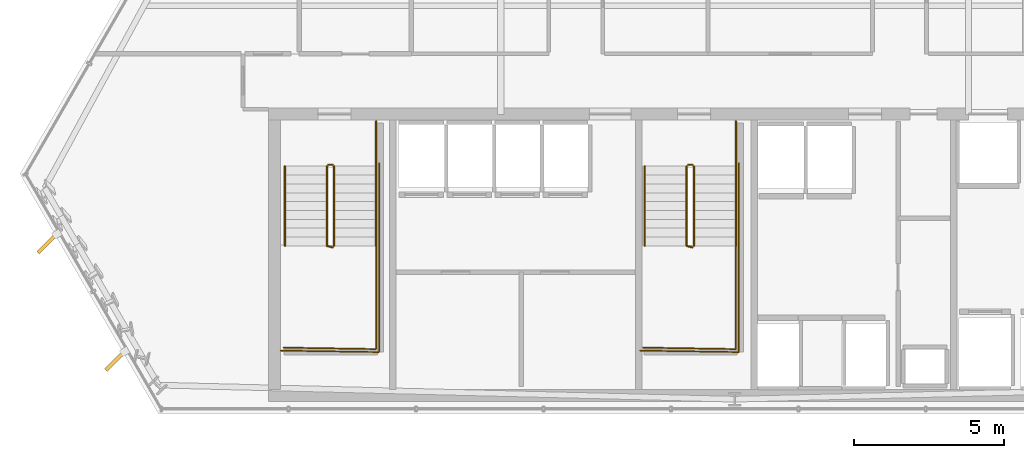
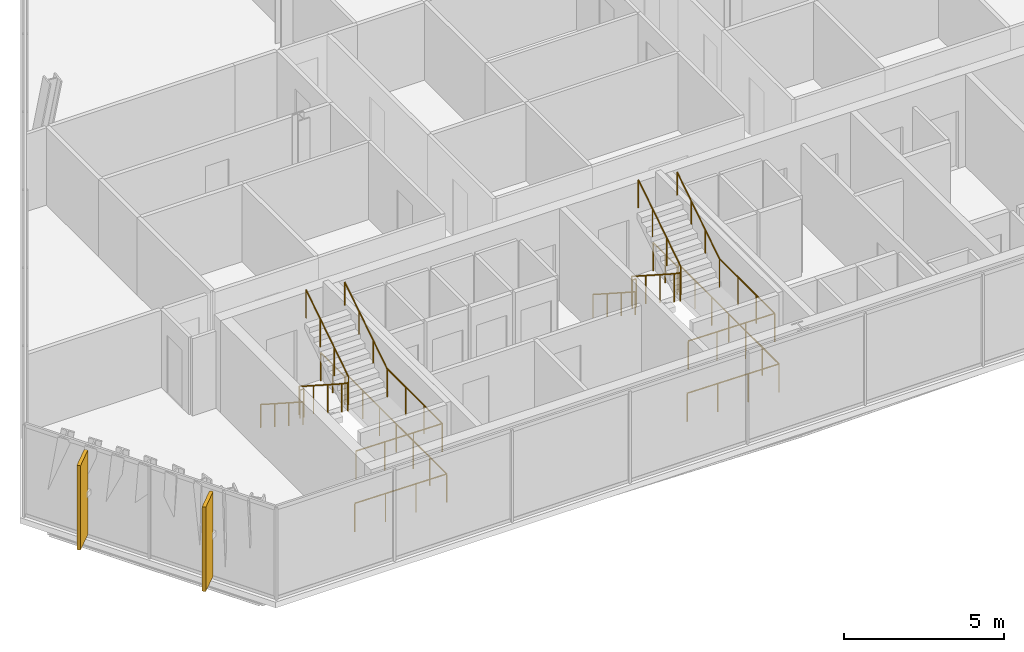
# One storey, part 31 of 34: 16 railings, 2 shading devices.
"""IFC4 building model written with IfcOpenShell, lengths in metres."""

import ifcopenshell
import ifcopenshell.guid

model = None  # the IFC model being written
_history = None  # IfcOwnerHistory: only IFC2X3 demands one
_inside = {}  # id of a spatial element -> (the spatial element, [elements in it])
_under = {}  # id of a project, library or spatial element -> (it, [spatial elements below it])
_declared = {}  # id of a project -> (the project, [libraries it declares])
_typed = {}  # id of a type object -> (the type object, [elements of that type])
_made_of = {}  # id of a material, layer set ... -> (it, [elements and type objects made of it])


def new_model(schema):
    """Start an empty IFC model of exactly this schema.

    Asked for "IFC4X3", IfcOpenShell would pick the latest addendum, in which some entities
    have other attributes; the version numbers below select the first issue.
    IFC2X3 requires an IfcOwnerHistory on every rooted entity: one is made here for all.
    """
    global model, _history
    if schema == "IFC4X3":
        model = ifcopenshell.file(schema_version=(4, 3, 0, 0))
    else:
        model = ifcopenshell.file(schema=schema)
    _inside.clear()
    _under.clear()
    _declared.clear()
    _typed.clear()
    _made_of.clear()
    _history = None
    if model.schema == "IFC2X3":
        org = make("IfcOrganization", Name="unknown")
        user = make(
            "IfcPersonAndOrganization",
            ThePerson=make("IfcPerson", FamilyName="unknown"),
            TheOrganization=org,
        )
        app = make(
            "IfcApplication",
            ApplicationDeveloper=org,
            Version="unknown",
            ApplicationFullName="unknown",
            ApplicationIdentifier="unknown",
        )
        _history = make(
            "IfcOwnerHistory",
            OwningUser=user,
            OwningApplication=app,
            ChangeAction="ADDED",
            CreationDate=0,
        )
    return model


def make(cls, **values):
    """One entity of the class cls with the attributes given. An attribute that is None is left unset."""
    return model.create_entity(
        cls, **{name: value for name, value in values.items() if value is not None}
    )


def rooted(cls, **values):
    """An entity with a GlobalId (a new one), such as an element, a storey or a relation."""
    return make(cls, GlobalId=ifcopenshell.guid.new(), OwnerHistory=_history, **values)


def si_unit(unit_type, name, prefix=None):
    """IfcSIUnit, for example si_unit("LENGTHUNIT", "METRE", prefix="MILLI")."""
    return make("IfcSIUnit", UnitType=unit_type, Prefix=prefix, Name=name)


def assignment(units):
    """IfcUnitAssignment: the units of a project."""
    return None if units is None else make("IfcUnitAssignment", Units=units)


def point(xyz):
    """IfcCartesianPoint."""
    return None if xyz is None else make("IfcCartesianPoint", Coordinates=xyz)


def direction(xyz):
    """IfcDirection."""
    return None if xyz is None else make("IfcDirection", DirectionRatios=xyz)


def frame(location, z_axis=None, x_axis=None):
    """IfcAxis2Placement3D, a coordinate frame: its origin and axes. An axis left out is left unset."""
    return make(
        "IfcAxis2Placement3D",
        Location=point(location),
        Axis=direction(z_axis),
        RefDirection=direction(x_axis),
    )


def frame_2d(location, x_axis=None):
    """IfcAxis2Placement2D, a coordinate frame in the plane: its origin and x axis."""
    return make(
        "IfcAxis2Placement2D", Location=point(location), RefDirection=direction(x_axis)
    )


def origin():
    """The frame at (0, 0, 0) with its axes left unset."""
    return frame((0.0, 0.0, 0.0))


def origin_2d():
    """The frame at (0, 0) in the plane with its x axis left unset."""
    return frame_2d((0.0, 0.0))


def place(relative_to, where):
    """IfcLocalPlacement: puts the frame where relative to a parent placement (None: the world)."""
    return make(
        "IfcLocalPlacement", PlacementRelTo=relative_to, RelativePlacement=where
    )


def context(
    kind, dimensions, precision=None, world=None, true_north=None, identifier=None
):
    """IfcGeometricRepresentationContext, for example the 3D "Model" context."""
    return make(
        "IfcGeometricRepresentationContext",
        ContextIdentifier=identifier,
        ContextType=kind,
        CoordinateSpaceDimension=dimensions,
        Precision=precision,
        WorldCoordinateSystem=world,
        TrueNorth=true_north,
    )


def subcontext(parent, identifier, kind, view, scale=None):
    """IfcGeometricRepresentationSubContext, for example "Body" below "Model"."""
    return make(
        "IfcGeometricRepresentationSubContext",
        ContextIdentifier=identifier,
        ContextType=kind,
        ParentContext=parent,
        TargetScale=scale,
        TargetView=view,
    )


def project(units=None, contexts=None):
    """IfcProject with its units and contexts."""
    return rooted(
        "IfcProject",
        Name="project",
        RepresentationContexts=contexts,
        UnitsInContext=assignment(units),
    )


def spatial(cls, under=None, at=None, **own):
    """A site, building, storey or space (cls), placed at a placement, below another one or the project."""
    s = rooted(cls, ObjectPlacement=at, **own)
    if under is not None:
        _under.setdefault(under.id(), (under, []))[1].append(s)
    return s


def profile(cls, at=None, kind="AREA", **sizes):
    """A parametric profile (cls). Its sizes go by their IFC names, for example OverallWidth=200.0."""
    return make(cls, ProfileType=kind, Position=at, **sizes)


def rectangle(**sizes):
    """IfcRectangleProfileDef."""
    return profile("IfcRectangleProfileDef", **sizes)


def circle(**sizes):
    """IfcCircleProfileDef."""
    return profile("IfcCircleProfileDef", **sizes)


def extrude(swept, where, along, depth):
    """IfcExtrudedAreaSolid: the profile swept, set in the frame where, extruded along a direction by depth."""
    return make(
        "IfcExtrudedAreaSolid",
        SweptArea=swept,
        Position=where,
        ExtrudedDirection=direction(along),
        Depth=depth,
    )


def shape(context_of_items, identifier, shape_type, items):
    """IfcShapeRepresentation: the items that make up one representation, for example the "Body"."""
    return make(
        "IfcShapeRepresentation",
        ContextOfItems=context_of_items,
        RepresentationIdentifier=identifier,
        RepresentationType=shape_type,
        Items=items,
    )


def material(Name=None, Category=None):
    """IfcMaterial."""
    return make("IfcMaterial", Name=Name, Category=Category)


def layer(
    of_material, thickness, ventilated=None, Name=None, Category=None, Priority=None
):
    """IfcMaterialLayer: one layer of a wall or slab, of a material (None: an air gap)."""
    return make(
        "IfcMaterialLayer",
        Material=of_material,
        LayerThickness=thickness,
        IsVentilated=ventilated,
        Name=Name,
        Category=Category,
        Priority=Priority,
    )


def layer_set(layers, Name=None):
    """IfcMaterialLayerSet."""
    return make("IfcMaterialLayerSet", MaterialLayers=layers, LayerSetName=Name)


def made_of(thing, what):
    """Note that an element or type object is made of a material, layer set ...; save() writes the relation."""
    if what is not None:
        _made_of.setdefault(what.id(), (what, []))[1].append(thing)
    return thing


def type_object(cls, material=None, **own):
    """A type object (cls), such as IfcWallType, which elements share."""
    return made_of(rooted(cls, **own), material)


def element(
    cls,
    number,
    at=None,
    inside=None,
    cuts=None,
    type_object=None,
    material=None,
    context=None,
    identifier="Body",
    shape_type=None,
    held_by="IfcProductDefinitionShape",
    body=None,
    shapes=None,
    **own,
):
    """One element of the class cls, such as IfcWall. Its Tag is "e" and its number.

    at: its placement. inside: the storey or other place that contains it. cuts: it is an
    opening in that element (IfcRelVoidsElement). A single representation is given by context,
    identifier, shape_type and body (its items); several are given by shapes. held_by: the class
    of the entity that holds the representations. save() writes the other relations.
    """
    e = rooted(cls, Tag="e%d" % number, ObjectPlacement=at, **own)
    if body is not None:
        shapes = [shape(context, identifier, shape_type, body)]
    if shapes is not None:
        e.Representation = make(held_by, Representations=shapes)
    if inside is not None:
        _inside.setdefault(inside.id(), (inside, []))[1].append(e)
    if cuts is not None:
        rooted(
            "IfcRelVoidsElement", RelatingBuildingElement=cuts, RelatedOpeningElement=e
        )
    if type_object is not None:
        _typed.setdefault(type_object.id(), (type_object, []))[1].append(e)
    return made_of(e, material)


def aggregate(whole, parts):
    """IfcRelAggregates: a whole, such as a stair, and the parts it consists of."""
    return rooted("IfcRelAggregates", RelatingObject=whole, RelatedObjects=parts)


def save(model, path):
    """Write the relations noted so far, then the file.

    IfcRelAggregates (storeys below a building ...), IfcRelContainedInSpatialStructure (elements
    in a storey), IfcRelDefinesByType, IfcRelAssociatesMaterial and IfcRelDeclares: one each for
    every whole, place, type object, material and project.
    """
    for whole, parts in _under.values():
        aggregate(whole, parts)
    for where, things in _inside.values():
        rooted(
            "IfcRelContainedInSpatialStructure",
            RelatedElements=things,
            RelatingStructure=where,
        )
    for kind, things in _typed.values():
        rooted("IfcRelDefinesByType", RelatedObjects=things, RelatingType=kind)
    for what, things in _made_of.values():
        rooted("IfcRelAssociatesMaterial", RelatedObjects=things, RelatingMaterial=what)
    for by, libraries in _declared.values():
        rooted("IfcRelDeclares", RelatingContext=by, RelatedDefinitions=libraries)
    model.write(path)


model = new_model("IFC4")

# Units and contexts
model_context = context("Model", 3, precision=1e-05, world=origin(), true_north=direction((0.0, 1.0)))
body_context = subcontext(model_context, "Body", "Model", "MODEL_VIEW")
ifc_project = project(units=[si_unit("LENGTHUNIT", "METRE"), si_unit("AREAUNIT", "SQUARE_METRE"), si_unit("VOLUMEUNIT", "CUBIC_METRE"), si_unit("PLANEANGLEUNIT", "RADIAN"), si_unit("MASSUNIT", "GRAM", prefix="KILO")], contexts=[model_context])

# Site, building, storey
site_placement = place(None, origin())
site = spatial("IfcSite", under=ifc_project, at=site_placement, CompositionType="ELEMENT")
building_placement = place(site_placement, origin())
building = spatial("IfcBuilding", under=site, at=building_placement, Name="Ndaravel Arena Tower", CompositionType="ELEMENT")
storey_placement = place(building_placement, frame((0.0, 0.0, 199.199951171875)))
storey = spatial("IfcBuildingStorey", under=building, at=storey_placement, Name="L48", CompositionType="ELEMENT", Elevation=199.199951171875)

# Railings
ifc_material_1 = material(Name="Steel S355", Category="steel")
ifc_layer_1 = layer(ifc_material_1, 0.06005859375)
ifc_layer_set_1 = layer_set([ifc_layer_1], Name="Steel S355")
railing_type_1 = type_object("IfcRailingType", Name="RAIL-STAIR-GD1100", PredefinedType="GUARDRAIL", material=ifc_layer_set_1)
railing_1_placement = place(storey_placement, frame((28.39990234375, 13.25, 0.18994140625)))
element("IfcRailing", 1, at=railing_1_placement, inside=storey, type_object=railing_type_1, Name="L48 ST-1 stair guard 1", PredefinedType="GUARDRAIL", context=body_context, shape_type="SweptSolid", body=[
    extrude(circle(Radius=0.02392578125, at=origin_2d()), frame((0.0, 0.0, 1.076171875), z_axis=(0.0, -0.840688348013, 0.541519253134), x_axis=(1.0, 0.0, 0.0)), (0.0, 0.0, 1.0), 3.158203125),
    extrude(circle(Radius=0.02392578125, at=origin_2d()), frame((0.0, -2.655029296875, 2.7861328125), z_axis=(0.967074537263, -0.25449329928, 0.0), x_axis=(0.25449329928, 0.967074537263, 0.0)), (0.0, 0.0, 1.0), 0.19677734375),
    extrude(circle(Radius=0.02099609375, at=origin_2d()), origin(), (0.0, 0.0, 1.0), 1.052001953125),
    extrude(circle(Radius=0.02099609375, at=origin_2d()), frame((0.0, -0.885009765625, 0.570068359375)), (0.0, 0.0, 1.0), 1.052001953125),
    extrude(circle(Radius=0.02099609375, at=origin_2d()), frame((0.0, -1.77001953125, 1.14013671875)), (0.0, 0.0, 1.0), 1.052001953125),
    extrude(circle(Radius=0.02099609375, at=origin_2d()), frame((0.0, -2.655029296875, 1.710205078125)), (0.0, 0.0, 1.0), 1.052001953125),
    extrude(circle(Radius=0.02099609375, at=origin_2d()), frame((0.190185546875, -2.705078125, 1.710205078125)), (0.0, 0.0, 1.0), 1.052001953125),
])
railing_2_placement = place(storey_placement, frame((30.0400390625, 10.594970703125, 1.900146484375)))
element("IfcRailing", 2, at=railing_2_placement, inside=storey, type_object=railing_type_1, Name="L48 ST-1 stair guard 2", PredefinedType="GUARDRAIL", context=body_context, shape_type="SweptSolid", body=[
    extrude(circle(Radius=0.02392578125, at=origin_2d()), frame((0.0, 0.0, 1.076171875), z_axis=(0.0, -1.0, 0.0), x_axis=(1.0, 0.0, 0.0)), (0.0, 0.0, 1.0), 3.445068359375),
    extrude(circle(Radius=0.02392578125, at=origin_2d()), frame((0.0, -3.445068359375, 1.076171875), z_axis=(-0.999868861343, 0.016194447071, 0.0), x_axis=(-0.016194447071, -0.999868861343, 0.0)), (0.0, 0.0, 1.0), 3.090576171875),
    extrude(circle(Radius=0.02099609375, at=origin_2d()), origin(), (0.0, 0.0, 1.0), 1.052001953125),
    extrude(circle(Radius=0.02099609375, at=origin_2d()), frame((0.0, -1.1484375, 0.0)), (0.0, 0.0, 1.0), 1.052001953125),
    extrude(circle(Radius=0.02099609375, at=origin_2d()), frame((0.0, -2.296630859375, 0.0)), (0.0, 0.0, 1.0), 1.052001953125),
    extrude(circle(Radius=0.02099609375, at=origin_2d()), frame((0.0, -3.445068359375, 0.0)), (0.0, 0.0, 1.0), 1.052001953125),
    extrude(circle(Radius=0.02099609375, at=origin_2d()), frame((-1.030029296875, -3.428466796875, 0.0)), (0.0, 0.0, 1.0), 1.052001953125),
    extrude(circle(Radius=0.02099609375, at=origin_2d()), frame((-2.06005859375, -3.41162109375, 0.0)), (0.0, 0.0, 1.0), 1.052001953125),
    extrude(circle(Radius=0.02099609375, at=origin_2d()), frame((-3.090087890625, -3.39501953125, 0.0)), (0.0, 0.0, 1.0), 1.052001953125),
])
railing_3_placement = place(storey_placement, frame((28.639892578125, 10.594970703125, 2.090087890625)))
element("IfcRailing", 3, at=railing_3_placement, inside=storey, type_object=railing_type_1, Name="L48 ST-1 stair guard 3", PredefinedType="GUARDRAIL", context=body_context, shape_type="SweptSolid", body=[
    extrude(circle(Radius=0.02392578125, at=origin_2d()), frame((0.0, 0.0, 1.076171875), z_axis=(0.0, 0.840723540582, 0.54146461409), x_axis=(-1.0, 0.0, 0.0)), (0.0, 0.0, 1.0), 3.157958984375),
    extrude(circle(Radius=0.02099609375, at=origin_2d()), origin(), (0.0, 0.0, 1.0), 1.052001953125),
    extrude(circle(Radius=0.02099609375, at=origin_2d()), frame((0.0, 0.885009765625, 0.570068359375)), (0.0, 0.0, 1.0), 1.052001953125),
    extrude(circle(Radius=0.02099609375, at=origin_2d()), frame((0.0, 1.77001953125, 1.139892578125)), (0.0, 0.0, 1.0), 1.052001953125),
    extrude(circle(Radius=0.02099609375, at=origin_2d()), frame((0.0, 2.655029296875, 1.7099609375)), (0.0, 0.0, 1.0), 1.052001953125),
])
railing_4_placement = place(storey_placement, frame((28.449951171875, 13.300048828125, 0.0)))
element("IfcRailing", 4, at=railing_4_placement, inside=storey, type_object=railing_type_1, Name="L48 ST-1 stair guard 4", PredefinedType="GUARDRAIL", context=body_context, shape_type="SweptSolid", body=[
    extrude(circle(Radius=0.02392578125, at=origin_2d()), frame((0.0, 0.0, 1.076171875), z_axis=(1.0, 0.0, 0.0), x_axis=(0.0, 1.0, 0.0)), (0.0, 0.0, 1.0), 0.14013671875),
    extrude(circle(Radius=0.02099609375, at=origin_2d()), origin(), (0.0, 0.0, 1.0), 1.052001953125),
    extrude(circle(Radius=0.02099609375, at=origin_2d()), frame((0.14013671875, 0.0, 0.0)), (0.0, 0.0, 1.0), 1.052001953125),
])
railing_5_placement = place(storey_placement, frame((30.0400390625, 14.75, 0.0)))
element("IfcRailing", 5, at=railing_5_placement, inside=storey, type_object=railing_type_1, Name="L48 ST-1 stair guard 5", PredefinedType="GUARDRAIL", context=body_context, shape_type="SweptSolid", body=[
    extrude(circle(Radius=0.02392578125, at=origin_2d()), frame((0.0, 0.0, 1.076171875), z_axis=(0.0, -1.0, 0.0), x_axis=(1.0, 0.0, 0.0)), (0.0, 0.0, 1.0), 1.5),
    extrude(circle(Radius=0.02099609375, at=origin_2d()), origin(), (0.0, 0.0, 1.0), 1.052001953125),
    extrude(circle(Radius=0.02099609375, at=origin_2d()), frame((0.0, -0.75, 0.0)), (0.0, 0.0, 1.0), 1.052001953125),
    extrude(circle(Radius=0.02099609375, at=origin_2d()), frame((0.0, -1.5, 0.0)), (0.0, 0.0, 1.0), 1.052001953125),
])
railing_6_placement = place(storey_placement, frame((30.139892578125, 13.35009765625, 0.0)))
element("IfcRailing", 6, at=railing_6_placement, inside=storey, type_object=railing_type_1, Name="L48 ST-1 stair guard 6", PredefinedType="GUARDRAIL", context=body_context, shape_type="SweptSolid", body=[
    extrude(circle(Radius=0.02392578125, at=origin_2d()), frame((0.0, 0.0, 1.076171875), z_axis=(0.0, -1.0, 0.0), x_axis=(1.0, 0.0, 0.0)), (0.0, 0.0, 1.0), 6.300048828125),
    extrude(circle(Radius=0.02392578125, at=origin_2d()), frame((0.0, -6.300048828125, 1.076171875), z_axis=(-0.999884296952, 0.015211597839, 0.0), x_axis=(-0.015211597839, -0.999884296952, 0.0)), (0.0, 0.0, 1.0), 3.290283203125),
    extrude(circle(Radius=0.02099609375, at=origin_2d()), origin(), (0.0, 0.0, 1.0), 1.052001953125),
    extrude(circle(Radius=0.02099609375, at=origin_2d()), frame((0.0, -1.050048828125, 0.0)), (0.0, 0.0, 1.0), 1.052001953125),
    extrude(circle(Radius=0.02099609375, at=origin_2d()), frame((0.0, -2.10009765625, 0.0)), (0.0, 0.0, 1.0), 1.052001953125),
    extrude(circle(Radius=0.02099609375, at=origin_2d()), frame((0.0, -3.14990234375, 0.0)), (0.0, 0.0, 1.0), 1.052001953125),
    extrude(circle(Radius=0.02099609375, at=origin_2d()), frame((0.0, -4.199951171875, 0.0)), (0.0, 0.0, 1.0), 1.052001953125),
    extrude(circle(Radius=0.02099609375, at=origin_2d()), frame((0.0, -5.25, 0.0)), (0.0, 0.0, 1.0), 1.052001953125),
    extrude(circle(Radius=0.02099609375, at=origin_2d()), frame((0.0, -6.300048828125, 0.0)), (0.0, 0.0, 1.0), 1.052001953125),
    extrude(circle(Radius=0.02099609375, at=origin_2d()), frame((-1.0966796875, -6.283447265625, 0.0)), (0.0, 0.0, 1.0), 1.052001953125),
    extrude(circle(Radius=0.02099609375, at=origin_2d()), frame((-2.193115234375, -6.2666015625, 0.0)), (0.0, 0.0, 1.0), 1.052001953125),
    extrude(circle(Radius=0.02099609375, at=origin_2d()), frame((-3.289794921875, -6.25, 0.0)), (0.0, 0.0, 1.0), 1.052001953125),
])
railing_7_placement = place(storey_placement, frame((40.39990234375, 13.25, 0.18994140625)))
element("IfcRailing", 7, at=railing_7_placement, inside=storey, type_object=railing_type_1, Name="L48 ST-2 stair guard 1", PredefinedType="GUARDRAIL", context=body_context, shape_type="SweptSolid", body=[
    extrude(circle(Radius=0.02392578125, at=origin_2d()), frame((0.0, 0.0, 1.076171875), z_axis=(0.0, -0.840688348013, 0.541519253134), x_axis=(1.0, 0.0, 0.0)), (0.0, 0.0, 1.0), 3.158203125),
    extrude(circle(Radius=0.02392578125, at=origin_2d()), frame((0.0, -2.655029296875, 2.7861328125), z_axis=(0.967074537263, -0.25449329928, 0.0), x_axis=(0.25449329928, 0.967074537263, 0.0)), (0.0, 0.0, 1.0), 0.19677734375),
    extrude(circle(Radius=0.02099609375, at=origin_2d()), origin(), (0.0, 0.0, 1.0), 1.052001953125),
    extrude(circle(Radius=0.02099609375, at=origin_2d()), frame((0.0, -0.885009765625, 0.570068359375)), (0.0, 0.0, 1.0), 1.052001953125),
    extrude(circle(Radius=0.02099609375, at=origin_2d()), frame((0.0, -1.77001953125, 1.14013671875)), (0.0, 0.0, 1.0), 1.052001953125),
    extrude(circle(Radius=0.02099609375, at=origin_2d()), frame((0.0, -2.655029296875, 1.710205078125)), (0.0, 0.0, 1.0), 1.052001953125),
    extrude(circle(Radius=0.02099609375, at=origin_2d()), frame((0.190185546875, -2.705078125, 1.710205078125)), (0.0, 0.0, 1.0), 1.052001953125),
])
railing_8_placement = place(storey_placement, frame((42.0400390625, 10.594970703125, 1.900146484375)))
element("IfcRailing", 8, at=railing_8_placement, inside=storey, type_object=railing_type_1, Name="L48 ST-2 stair guard 2", PredefinedType="GUARDRAIL", context=body_context, shape_type="SweptSolid", body=[
    extrude(circle(Radius=0.02392578125, at=origin_2d()), frame((0.0, 0.0, 1.076171875), z_axis=(0.0, -1.0, 0.0), x_axis=(1.0, 0.0, 0.0)), (0.0, 0.0, 1.0), 3.445068359375),
    extrude(circle(Radius=0.02392578125, at=origin_2d()), frame((0.0, -3.445068359375, 1.076171875), z_axis=(-0.999868861343, 0.016194447071, 0.0), x_axis=(-0.016194447071, -0.999868861343, 0.0)), (0.0, 0.0, 1.0), 3.090576171875),
    extrude(circle(Radius=0.02099609375, at=origin_2d()), origin(), (0.0, 0.0, 1.0), 1.052001953125),
    extrude(circle(Radius=0.02099609375, at=origin_2d()), frame((0.0, -1.1484375, 0.0)), (0.0, 0.0, 1.0), 1.052001953125),
    extrude(circle(Radius=0.02099609375, at=origin_2d()), frame((0.0, -2.296630859375, 0.0)), (0.0, 0.0, 1.0), 1.052001953125),
    extrude(circle(Radius=0.02099609375, at=origin_2d()), frame((0.0, -3.445068359375, 0.0)), (0.0, 0.0, 1.0), 1.052001953125),
    extrude(circle(Radius=0.02099609375, at=origin_2d()), frame((-1.030029296875, -3.428466796875, 0.0)), (0.0, 0.0, 1.0), 1.052001953125),
    extrude(circle(Radius=0.02099609375, at=origin_2d()), frame((-2.06005859375, -3.41162109375, 0.0)), (0.0, 0.0, 1.0), 1.052001953125),
    extrude(circle(Radius=0.02099609375, at=origin_2d()), frame((-3.090087890625, -3.39501953125, 0.0)), (0.0, 0.0, 1.0), 1.052001953125),
])
railing_9_placement = place(storey_placement, frame((40.639892578125, 10.594970703125, 2.090087890625)))
element("IfcRailing", 9, at=railing_9_placement, inside=storey, type_object=railing_type_1, Name="L48 ST-2 stair guard 3", PredefinedType="GUARDRAIL", context=body_context, shape_type="SweptSolid", body=[
    extrude(circle(Radius=0.02392578125, at=origin_2d()), frame((0.0, 0.0, 1.076171875), z_axis=(0.0, 0.840723540582, 0.54146461409), x_axis=(-1.0, 0.0, 0.0)), (0.0, 0.0, 1.0), 3.157958984375),
    extrude(circle(Radius=0.02099609375, at=origin_2d()), origin(), (0.0, 0.0, 1.0), 1.052001953125),
    extrude(circle(Radius=0.02099609375, at=origin_2d()), frame((0.0, 0.885009765625, 0.570068359375)), (0.0, 0.0, 1.0), 1.052001953125),
    extrude(circle(Radius=0.02099609375, at=origin_2d()), frame((0.0, 1.77001953125, 1.139892578125)), (0.0, 0.0, 1.0), 1.052001953125),
    extrude(circle(Radius=0.02099609375, at=origin_2d()), frame((0.0, 2.655029296875, 1.7099609375)), (0.0, 0.0, 1.0), 1.052001953125),
])
railing_10_placement = place(storey_placement, frame((40.449951171875, 13.300048828125, 0.0)))
element("IfcRailing", 10, at=railing_10_placement, inside=storey, type_object=railing_type_1, Name="L48 ST-2 stair guard 4", PredefinedType="GUARDRAIL", context=body_context, shape_type="SweptSolid", body=[
    extrude(circle(Radius=0.02392578125, at=origin_2d()), frame((0.0, 0.0, 1.076171875), z_axis=(1.0, 0.0, 0.0), x_axis=(0.0, 1.0, 0.0)), (0.0, 0.0, 1.0), 0.14013671875),
    extrude(circle(Radius=0.02099609375, at=origin_2d()), origin(), (0.0, 0.0, 1.0), 1.052001953125),
    extrude(circle(Radius=0.02099609375, at=origin_2d()), frame((0.14013671875, 0.0, 0.0)), (0.0, 0.0, 1.0), 1.052001953125),
])
railing_11_placement = place(storey_placement, frame((42.0400390625, 14.75, 0.0)))
element("IfcRailing", 11, at=railing_11_placement, inside=storey, type_object=railing_type_1, Name="L48 ST-2 stair guard 5", PredefinedType="GUARDRAIL", context=body_context, shape_type="SweptSolid", body=[
    extrude(circle(Radius=0.02392578125, at=origin_2d()), frame((0.0, 0.0, 1.076171875), z_axis=(0.0, -1.0, 0.0), x_axis=(1.0, 0.0, 0.0)), (0.0, 0.0, 1.0), 1.5),
    extrude(circle(Radius=0.02099609375, at=origin_2d()), origin(), (0.0, 0.0, 1.0), 1.052001953125),
    extrude(circle(Radius=0.02099609375, at=origin_2d()), frame((0.0, -0.75, 0.0)), (0.0, 0.0, 1.0), 1.052001953125),
    extrude(circle(Radius=0.02099609375, at=origin_2d()), frame((0.0, -1.5, 0.0)), (0.0, 0.0, 1.0), 1.052001953125),
])
railing_12_placement = place(storey_placement, frame((42.139892578125, 13.35009765625, 0.0)))
element("IfcRailing", 12, at=railing_12_placement, inside=storey, type_object=railing_type_1, Name="L48 ST-2 stair guard 6", PredefinedType="GUARDRAIL", context=body_context, shape_type="SweptSolid", body=[
    extrude(circle(Radius=0.02392578125, at=origin_2d()), frame((0.0, 0.0, 1.076171875), z_axis=(0.0, -1.0, 0.0), x_axis=(1.0, 0.0, 0.0)), (0.0, 0.0, 1.0), 6.300048828125),
    extrude(circle(Radius=0.02392578125, at=origin_2d()), frame((0.0, -6.300048828125, 1.076171875), z_axis=(-0.999884296952, 0.015211597839, 0.0), x_axis=(-0.015211597839, -0.999884296952, 0.0)), (0.0, 0.0, 1.0), 3.290283203125),
    extrude(circle(Radius=0.02099609375, at=origin_2d()), origin(), (0.0, 0.0, 1.0), 1.052001953125),
    extrude(circle(Radius=0.02099609375, at=origin_2d()), frame((0.0, -1.050048828125, 0.0)), (0.0, 0.0, 1.0), 1.052001953125),
    extrude(circle(Radius=0.02099609375, at=origin_2d()), frame((0.0, -2.10009765625, 0.0)), (0.0, 0.0, 1.0), 1.052001953125),
    extrude(circle(Radius=0.02099609375, at=origin_2d()), frame((0.0, -3.14990234375, 0.0)), (0.0, 0.0, 1.0), 1.052001953125),
    extrude(circle(Radius=0.02099609375, at=origin_2d()), frame((0.0, -4.199951171875, 0.0)), (0.0, 0.0, 1.0), 1.052001953125),
    extrude(circle(Radius=0.02099609375, at=origin_2d()), frame((0.0, -5.25, 0.0)), (0.0, 0.0, 1.0), 1.052001953125),
    extrude(circle(Radius=0.02099609375, at=origin_2d()), frame((0.0, -6.300048828125, 0.0)), (0.0, 0.0, 1.0), 1.052001953125),
    extrude(circle(Radius=0.02099609375, at=origin_2d()), frame((-1.0966796875, -6.283447265625, 0.0)), (0.0, 0.0, 1.0), 1.052001953125),
    extrude(circle(Radius=0.02099609375, at=origin_2d()), frame((-2.193115234375, -6.2666015625, 0.0)), (0.0, 0.0, 1.0), 1.052001953125),
    extrude(circle(Radius=0.02099609375, at=origin_2d()), frame((-3.289794921875, -6.25, 0.0)), (0.0, 0.0, 1.0), 1.052001953125),
])
ifc_material_2 = material(Name="Steel S355", Category="steel")
ifc_layer_2 = layer(ifc_material_2, 0.050048828125)
ifc_layer_set_2 = layer_set([ifc_layer_2], Name="Steel S355")
railing_type_2 = type_object("IfcRailingType", Name="RAIL-STAIR-HR920", PredefinedType="HANDRAIL", material=ifc_layer_set_2)
railing_13_placement = place(storey_placement, frame((27.0, 13.25, 0.18994140625)))
element("IfcRailing", 13, at=railing_13_placement, inside=storey, type_object=railing_type_2, Name="L48 ST-1 stair handrail 1", PredefinedType="HANDRAIL", context=body_context, shape_type="SweptSolid", body=[
    extrude(circle(Radius=0.02392578125, at=origin_2d()), frame((0.0, 0.0, 0.8759765625), z_axis=(0.0, -0.840688348013, 0.541519253134), x_axis=(1.0, 0.0, 0.0)), (0.0, 0.0, 1.0), 3.158203125),
    extrude(circle(Radius=0.02099609375, at=origin_2d()), origin(), (0.0, 0.0, 1.0), 0.851806640625),
    extrude(circle(Radius=0.02099609375, at=origin_2d()), frame((0.0, -0.885009765625, 0.570068359375)), (0.0, 0.0, 1.0), 0.851806640625),
    extrude(circle(Radius=0.02099609375, at=origin_2d()), frame((0.0, -1.77001953125, 1.14013671875)), (0.0, 0.0, 1.0), 0.851806640625),
    extrude(circle(Radius=0.02099609375, at=origin_2d()), frame((0.0, -2.655029296875, 1.710205078125)), (0.0, 0.0, 1.0), 0.851806640625),
])
railing_14_placement = place(storey_placement, frame((30.0400390625, 10.594970703125, 2.090087890625)))
element("IfcRailing", 14, at=railing_14_placement, inside=storey, type_object=railing_type_2, Name="L48 ST-1 stair handrail 2", PredefinedType="HANDRAIL", context=body_context, shape_type="SweptSolid", body=[
    extrude(circle(Radius=0.02392578125, at=origin_2d()), frame((0.0, 0.0, 0.8759765625), z_axis=(0.0, 0.840723540582, 0.54146461409), x_axis=(-1.0, 0.0, 0.0)), (0.0, 0.0, 1.0), 3.157958984375),
    extrude(circle(Radius=0.02099609375, at=origin_2d()), origin(), (0.0, 0.0, 1.0), 0.851806640625),
    extrude(circle(Radius=0.02099609375, at=origin_2d()), frame((0.0, 0.885009765625, 0.570068359375)), (0.0, 0.0, 1.0), 0.851806640625),
    extrude(circle(Radius=0.02099609375, at=origin_2d()), frame((0.0, 1.77001953125, 1.139892578125)), (0.0, 0.0, 1.0), 0.851806640625),
    extrude(circle(Radius=0.02099609375, at=origin_2d()), frame((0.0, 2.655029296875, 1.7099609375)), (0.0, 0.0, 1.0), 0.851806640625),
])
railing_15_placement = place(storey_placement, frame((39.0, 13.25, 0.18994140625)))
element("IfcRailing", 15, at=railing_15_placement, inside=storey, type_object=railing_type_2, Name="L48 ST-2 stair handrail 1", PredefinedType="HANDRAIL", context=body_context, shape_type="SweptSolid", body=[
    extrude(circle(Radius=0.02392578125, at=origin_2d()), frame((0.0, 0.0, 0.8759765625), z_axis=(0.0, -0.840688348013, 0.541519253134), x_axis=(1.0, 0.0, 0.0)), (0.0, 0.0, 1.0), 3.158203125),
    extrude(circle(Radius=0.02099609375, at=origin_2d()), origin(), (0.0, 0.0, 1.0), 0.851806640625),
    extrude(circle(Radius=0.02099609375, at=origin_2d()), frame((0.0, -0.885009765625, 0.570068359375)), (0.0, 0.0, 1.0), 0.851806640625),
    extrude(circle(Radius=0.02099609375, at=origin_2d()), frame((0.0, -1.77001953125, 1.14013671875)), (0.0, 0.0, 1.0), 0.851806640625),
    extrude(circle(Radius=0.02099609375, at=origin_2d()), frame((0.0, -2.655029296875, 1.710205078125)), (0.0, 0.0, 1.0), 0.851806640625),
])
railing_16_placement = place(storey_placement, frame((42.0400390625, 10.594970703125, 2.090087890625)))
element("IfcRailing", 16, at=railing_16_placement, inside=storey, type_object=railing_type_2, Name="L48 ST-2 stair handrail 2", PredefinedType="HANDRAIL", context=body_context, shape_type="SweptSolid", body=[
    extrude(circle(Radius=0.02392578125, at=origin_2d()), frame((0.0, 0.0, 0.8759765625), z_axis=(0.0, 0.840723540582, 0.54146461409), x_axis=(-1.0, 0.0, 0.0)), (0.0, 0.0, 1.0), 3.157958984375),
    extrude(circle(Radius=0.02099609375, at=origin_2d()), origin(), (0.0, 0.0, 1.0), 0.851806640625),
    extrude(circle(Radius=0.02099609375, at=origin_2d()), frame((0.0, 0.885009765625, 0.570068359375)), (0.0, 0.0, 1.0), 0.851806640625),
    extrude(circle(Radius=0.02099609375, at=origin_2d()), frame((0.0, 1.77001953125, 1.139892578125)), (0.0, 0.0, 1.0), 0.851806640625),
    extrude(circle(Radius=0.02099609375, at=origin_2d()), frame((0.0, 2.655029296875, 1.7099609375)), (0.0, 0.0, 1.0), 0.851806640625),
])

# Shading devices
ifc_material_3 = material(Name="Masonry", Category="masonry")
shading_device_type = type_object("IfcShadingDeviceType", Name="SHD-MAZERAS-FIN", PredefinedType="SHUTTER", material=ifc_material_3)
for number, where, z_axis, x_axis, name in (
    (17, (19.08251953125, 10.682861328125, 0.14990234375), (0.0, 0.0, 1.0), (-0.707106781187, -0.707106781187, 0.0), "L48 Mazeras Stone Solar Fin E6.1"),
    (18, (21.343994140625, 6.765869140625, 0.14990234375), (0.0, 0.0, 1.0), (-0.707106781187, -0.707106781187, 0.0), "L48 Mazeras Stone Solar Fin E6.2"),
):
    element("IfcShadingDevice", number, at=place(storey_placement, frame(where, z_axis=z_axis, x_axis=x_axis)), inside=storey, type_object=shading_device_type, Name=name, PredefinedType="SHUTTER", context=body_context, shape_type="SweptSolid", body=[
        extrude(rectangle(XDim=0.89990234375, YDim=0.1201171875, at=origin_2d()), origin(), (0.0, 0.0, 1.0), 3.219970703125),
    ])

save(model, "model.ifc")
